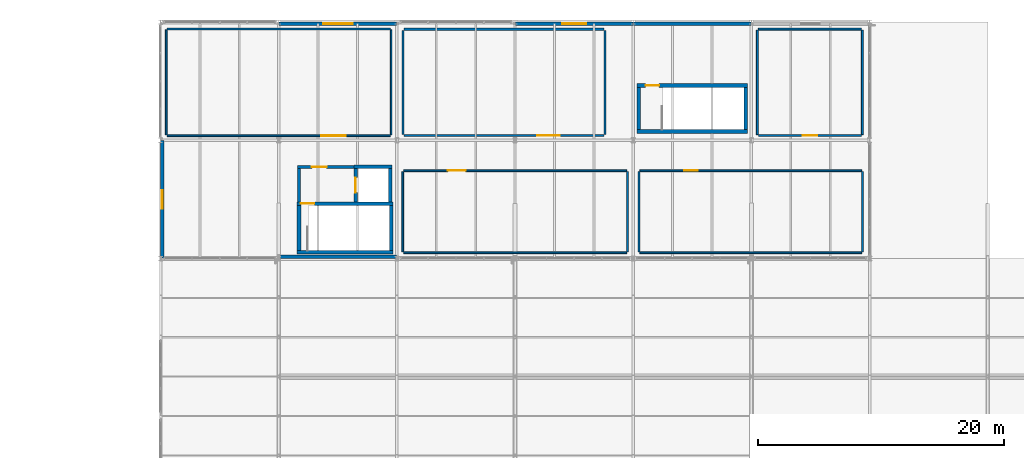
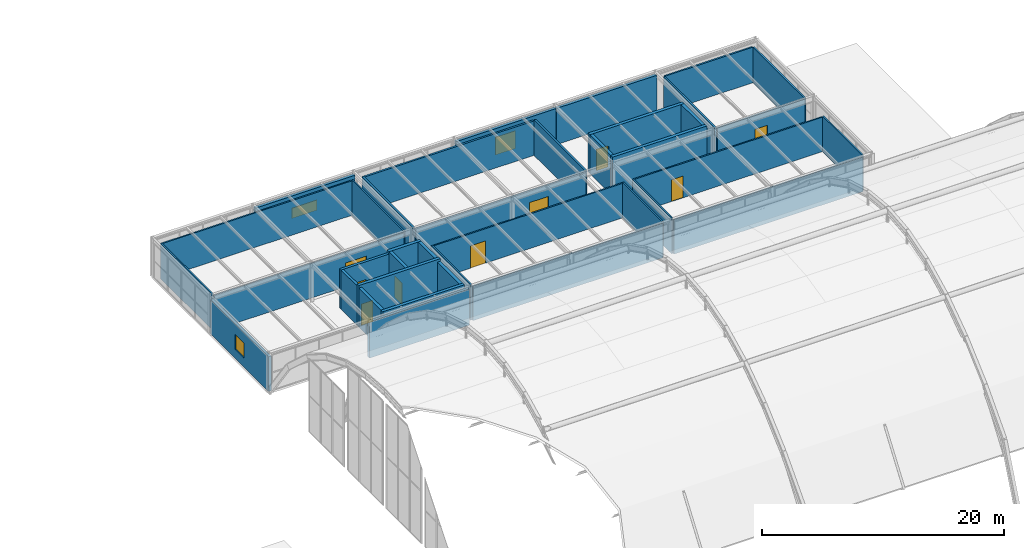
# One storey, part 119 of 126: 38 walls, 9 doors, 3 windows, 12 openings.
"""IFC4 building model written with IfcOpenShell, lengths in metres."""

from ifc_helpers import new_model, si_unit, direction, frame, frame_2d, origin, place, context, subcontext, project, spatial, rectangle, extrude, material, layer, layer_set, type_object, element, fill, save


model = new_model("IFC4")

# Units and contexts
model_context = context("Model", 3, precision=1e-05, world=origin(), true_north=direction((0.0, 1.0)))
body_context = subcontext(model_context, "Body", "Model", "MODEL_VIEW")
ifc_project = project(units=[si_unit("LENGTHUNIT", "METRE"), si_unit("AREAUNIT", "SQUARE_METRE"), si_unit("VOLUMEUNIT", "CUBIC_METRE"), si_unit("PLANEANGLEUNIT", "RADIAN"), si_unit("MASSUNIT", "GRAM", prefix="KILO")], contexts=[model_context])

# Site, building, storey
site_placement = place(None, origin())
site = spatial("IfcSite", under=ifc_project, at=site_placement, CompositionType="ELEMENT")
building_placement = place(site_placement, origin())
building = spatial("IfcBuilding", under=site, at=building_placement, Name="Coralgate Yard Interchange", CompositionType="ELEMENT")
storey_placement = place(building_placement, frame((0.0, 0.0, 10.5)))
storey = spatial("IfcBuildingStorey", under=building, at=storey_placement, Name="L02", CompositionType="ELEMENT", Elevation=10.5)

# Wall
ifc_material_1 = material(Name="Concrete C40/50", Category="concrete")
ifc_layer_1 = layer(ifc_material_1, 0.300048828125)
ifc_layer_set_1 = layer_set([ifc_layer_1], Name="Concrete C40/50")
wall_type_1 = type_object("IfcWallType", Name="WAL-CW300", PredefinedType="SHEAR", material=ifc_layer_set_1)
wall_1_placement = place(storey_placement, frame((49.5, 77.300048828125, 0.0), z_axis=(0.0, 0.0, 1.0), x_axis=(1.0, 0.0, 0.0)))
element("IfcWall", 1, at=wall_1_placement, inside=storey, type_object=wall_type_1, Name="C5 L02 stair south shear wall", PredefinedType="SHEAR", context=body_context, shape_type="SweptSolid", body=[
    extrude(rectangle(XDim=7.800048828125, YDim=0.300048828125, at=frame_2d((3.89990234375, 0.0))), origin(), (0.0, 0.0, 1.0), 3.949951171875),
])

# Wall, opening, door
wall_2_placement = place(storey_placement, frame((57.300048828125, 81.25, 0.0), z_axis=(0.0, 0.0, 1.0), x_axis=(-1.0, 0.0, 0.0)))
wall_2 = element("IfcWall", 2, at=wall_2_placement, inside=storey, type_object=wall_type_1, Name="C5 L02 stair north shear wall", PredefinedType="SHEAR", context=body_context, shape_type="SweptSolid", body=[
    extrude(rectangle(XDim=7.800048828125, YDim=0.300048828125, at=frame_2d((3.89990234375, 0.0))), origin(), (0.0, 0.0, 1.0), 4.199951171875),
])
opening_1_placement = place(wall_2_placement, frame((6.39990234375, 0.0, 0.0)))
opening_1 = element("IfcOpeningElement", 3, at=opening_1_placement, cuts=wall_2, Name="Opening FD-1", PredefinedType="OPENING", context=body_context, shape_type="SweptSolid", body=[
    extrude(rectangle(XDim=1.10009765625, YDim=2.14990234375, at=frame_2d((0.550048828125, 1.074951171875))), frame((0.0, 0.159912109375, 0.0), z_axis=(0.0, -1.0, 0.0), x_axis=(1.0, 0.0, 0.0)), (0.0, 0.0, 1.0), 0.320068359375),
])
ifc_material_2 = material(Name="Powder-coated steel fire door assembly", Category="steel")
door_type_1 = type_object("IfcDoorType", Name="DOR-FD-1", OperationType="NOTDEFINED", PredefinedType="DOOR", material=ifc_material_2)
door_1_placement = place(opening_1_placement, origin())
door_1 = element("IfcDoor", 4, at=door_1_placement, inside=storey, type_object=door_type_1, Name="C5 L02 stair fire door", OperationType="SINGLE_SWING_LEFT", OverallHeight=2.14990234375, OverallWidth=1.10009765625, PredefinedType="DOOR", context=body_context, shape_type="SweptSolid", body=[
    extrude(rectangle(XDim=1.10009765625, YDim=2.14990234375, at=frame_2d((0.550048828125, 1.074951171875))), frame((0.0, 0.02490234375, 0.0), z_axis=(0.0, -1.0, 0.0), x_axis=(1.0, 0.0, 0.0)), (0.0, 0.0, 1.0), 0.050048828125),
])
fill(opening_1, door_1)

# Walls
for number, where, z_axis, x_axis, name in (
    (5, (49.64990234375, 77.449951171875, 0.0), (0.0, 0.0, 1.0), (0.0, 1.0, 0.0), "C5 L02 stair west shear wall"),
    (6, (57.14990234375, 81.10009765625, 0.0), (0.0, 0.0, 1.0), (0.0, -1.0, 0.0), "C5 L02 stair east shear wall"),
):
    element("IfcWall", number, at=place(storey_placement, frame(where, z_axis=z_axis, x_axis=x_axis)), inside=storey, type_object=wall_type_1, Name=name, PredefinedType="SHEAR", context=body_context, shape_type="SweptSolid", body=[
        extrude(rectangle(XDim=3.650146484375, YDim=0.300048828125, at=frame_2d((1.8251953125, 0.0))), origin(), (0.0, 0.0, 1.0), 3.949951171875),
    ])

# Wall, opening, door
wall_3_placement = place(storey_placement, frame((54.25, 84.10009765625, 0.0), z_axis=(0.0, 0.0, 1.0), x_axis=(0.0, -1.0, 0.0)))
wall_3 = element("IfcWall", 7, at=wall_3_placement, inside=storey, type_object=wall_type_1, Name="C5 L02 lift front shear wall", PredefinedType="SHEAR", context=body_context, shape_type="SweptSolid", body=[
    extrude(rectangle(XDim=2.7001953125, YDim=0.300048828125, at=frame_2d((1.35009765625, 0.0))), origin(), (0.0, 0.0, 1.0), 4.199951171875),
])
opening_2_placement = place(wall_3_placement, frame((0.739990234375, 0.0, 0.0)))
opening_2 = element("IfcOpeningElement", 8, at=opening_2_placement, cuts=wall_3, Name="Opening LD-3", PredefinedType="OPENING", context=body_context, shape_type="SweptSolid", body=[
    extrude(rectangle(XDim=1.219970703125, YDim=2.14990234375, at=frame_2d((0.60986328125, 1.074951171875))), frame((0.0, 0.159912109375, 0.0), z_axis=(0.0, -1.0, 0.0), x_axis=(1.0, 0.0, 0.0)), (0.0, 0.0, 1.0), 0.320068359375),
])
ifc_material_3 = material(Name="Brushed stainless steel concourse lift landing door", Category="steel")
door_type_2 = type_object("IfcDoorType", Name="DOR-LD-3", OperationType="DOUBLE_DOOR_SLIDING", PredefinedType="DOOR", material=ifc_material_3)
door_2_placement = place(opening_2_placement, frame((1.219970703125, 0.0, 0.0), z_axis=(0.0, 0.0, 1.0), x_axis=(-1.0, 0.0, 0.0)))
door_2 = element("IfcDoor", 9, at=door_2_placement, inside=storey, type_object=door_type_2, Name="LF-03 L02 sliding lift landing door", OperationType="DOUBLE_DOOR_SLIDING", OverallHeight=2.14990234375, OverallWidth=1.219970703125, PredefinedType="DOOR", context=body_context, shape_type="SweptSolid", body=[
    extrude(rectangle(XDim=1.219970703125, YDim=2.14990234375, at=frame_2d((0.60986328125, 1.074951171875))), frame((0.0, 0.02490234375, 0.0), z_axis=(0.0, -1.0, 0.0), x_axis=(1.0, 0.0, 0.0)), (0.0, 0.0, 1.0), 0.050048828125),
])
fill(opening_2, door_2)

# Walls
wall_4_placement = place(storey_placement, frame((57.050048828125, 81.39990234375, 0.0), z_axis=(0.0, 0.0, 1.0), x_axis=(0.0, 1.0, 0.0)))
element("IfcWall", 10, at=wall_4_placement, inside=storey, type_object=wall_type_1, Name="C5 L02 lift rear shear wall", PredefinedType="SHEAR", context=body_context, shape_type="SweptSolid", body=[
    extrude(rectangle(XDim=2.7001953125, YDim=0.300048828125, at=frame_2d((1.35009765625, 0.0))), origin(), (0.0, 0.0, 1.0), 4.199951171875),
])
wall_5_placement = place(storey_placement, frame((54.10009765625, 84.25, 0.0), z_axis=(0.0, 0.0, 1.0), x_axis=(1.0, 0.0, 0.0)))
element("IfcWall", 11, at=wall_5_placement, inside=storey, type_object=wall_type_1, Name="C5 L02 lift north shear wall", PredefinedType="SHEAR", context=body_context, shape_type="SweptSolid", body=[
    extrude(rectangle(XDim=3.099853515625, YDim=0.300048828125, at=frame_2d((1.5498046875, 0.0))), origin(), (0.0, 0.0, 1.0), 4.199951171875),
])
wall_6_placement = place(storey_placement, frame((77.10009765625, 87.110107421875, 0.0), z_axis=(0.0, 0.0, 1.0), x_axis=(1.0, 0.0, 0.0)))
element("IfcWall", 12, at=wall_6_placement, inside=storey, type_object=wall_type_1, Name="C9 L02 stair south shear wall", PredefinedType="SHEAR", context=body_context, shape_type="SweptSolid", body=[
    extrude(rectangle(XDim=9.0, YDim=0.300048828125, at=frame_2d((4.5, 0.0))), origin(), (0.0, 0.0, 1.0), 3.949951171875),
])

# Wall, opening, door
wall_7_placement = place(storey_placement, frame((86.10009765625, 90.85009765625, 0.0), z_axis=(0.0, 0.0, 1.0), x_axis=(-1.0, 0.0, 0.0)))
wall_7 = element("IfcWall", 13, at=wall_7_placement, inside=storey, type_object=wall_type_1, Name="C9 L02 stair north shear wall", PredefinedType="SHEAR", context=body_context, shape_type="SweptSolid", body=[
    extrude(rectangle(XDim=9.0, YDim=0.300048828125, at=frame_2d((4.5, 0.0))), origin(), (0.0, 0.0, 1.0), 3.949951171875),
])
opening_3_placement = place(wall_7_placement, frame((7.199951171875, 0.0, 0.0)))
opening_3 = element("IfcOpeningElement", 14, at=opening_3_placement, cuts=wall_7, Name="Opening FD-1", PredefinedType="OPENING", context=body_context, shape_type="SweptSolid", body=[
    extrude(rectangle(XDim=1.10009765625, YDim=2.14990234375, at=frame_2d((0.550048828125, 1.074951171875))), frame((0.0, 0.159912109375, 0.0), z_axis=(0.0, -1.0, 0.0), x_axis=(1.0, 0.0, 0.0)), (0.0, 0.0, 1.0), 0.320068359375),
])
door_3_placement = place(opening_3_placement, frame((1.10009765625, 0.0, 0.0), z_axis=(0.0, 0.0, 1.0), x_axis=(-1.0, 0.0, 0.0)))
door_3 = element("IfcDoor", 15, at=door_3_placement, inside=storey, type_object=door_type_1, Name="C9 L02 stair fire door", OperationType="SINGLE_SWING_LEFT", OverallHeight=2.14990234375, OverallWidth=1.10009765625, PredefinedType="DOOR", context=body_context, shape_type="SweptSolid", body=[
    extrude(rectangle(XDim=1.10009765625, YDim=2.14990234375, at=frame_2d((0.550048828125, 1.074951171875))), frame((0.0, 0.02490234375, 0.0), z_axis=(0.0, -1.0, 0.0), x_axis=(1.0, 0.0, 0.0)), (0.0, 0.0, 1.0), 0.050048828125),
])
fill(opening_3, door_3)

# Walls
for number, where, z_axis, x_axis, name in (
    (16, (77.25, 87.260009765625, 0.0), (0.0, 0.0, 1.0), (0.0, 1.0, 0.0), "C9 L02 stair west shear wall"),
    (17, (85.949951171875, 90.699951171875, 0.0), (0.0, 0.0, 1.0), (0.0, -1.0, 0.0), "C9 L02 stair east shear wall"),
):
    element("IfcWall", number, at=place(storey_placement, frame(where, z_axis=z_axis, x_axis=x_axis)), inside=storey, type_object=wall_type_1, Name=name, PredefinedType="SHEAR", context=body_context, shape_type="SweptSolid", body=[
        extrude(rectangle(XDim=3.43994140625, YDim=0.300048828125, at=frame_2d((1.719970703125, 0.0))), origin(), (0.0, 0.0, 1.0), 3.949951171875),
    ])

# Wall, opening, window
ifc_material_4 = material(Name="Precast concrete C40/50", Category="concrete")
ifc_layer_2 = layer(ifc_material_4, 0.280029296875)
ifc_layer_set_2 = layer_set([ifc_layer_2], Name="Precast concrete C40/50")
wall_type_2 = type_object("IfcWallType", Name="WAL-EW-280", PredefinedType="SOLIDWALL", material=ifc_layer_set_2)
wall_8_placement = place(storey_placement, frame((38.5400390625, 76.820068359375, 0.0), z_axis=(0.0, 0.0, 1.0), x_axis=(0.0, 1.0, 0.0)))
wall_8 = element("IfcWall", 18, at=wall_8_placement, inside=storey, type_object=wall_type_2, Name="L02 exterior coastal wall W 4-8", PredefinedType="SOLIDWALL", context=body_context, shape_type="SweptSolid", body=[
    extrude(rectangle(XDim=9.559814453125, YDim=0.280029296875, at=frame_2d((4.77978515625, 0.0))), origin(), (0.0, 0.0, 1.0), 3.492919921875),
])
opening_4_placement = place(wall_8_placement, frame((4.030029296875, 0.0, 0.89990234375)))
opening_4 = element("IfcOpeningElement", 19, at=opening_4_placement, cuts=wall_8, Name="Opening W-07", PredefinedType="OPENING", context=body_context, shape_type="SweptSolid", body=[
    extrude(rectangle(XDim=1.5, YDim=1.5, at=frame_2d((0.75, 0.75))), frame((0.0, 0.14990234375, 0.0), z_axis=(0.0, -1.0, 0.0), x_axis=(1.0, 0.0, 0.0)), (0.0, 0.0, 1.0), 0.300048828125),
])
ifc_material_5 = material(Name="Thermally broken anodised aluminium and solar-control low-E glass", Category="aluminium")
window_type_1 = type_object("IfcWindowType", Name="WIN-W-07", PartitioningType="SINGLE_PANEL", PredefinedType="WINDOW", material=ifc_material_5)
window_1_placement = place(opening_4_placement, origin())
window_1 = element("IfcWindow", 20, at=window_1_placement, inside=storey, type_object=window_type_1, Name="L02 coastal facade window W-4-8", OverallHeight=1.5, OverallWidth=1.5, PartitioningType="SINGLE_PANEL", PredefinedType="WINDOW", context=body_context, shape_type="SweptSolid", body=[
    extrude(rectangle(XDim=1.5, YDim=1.5, at=frame_2d((0.75, 0.75))), frame((0.0, 0.030029296875, 0.0), z_axis=(0.0, -1.0, 0.0), x_axis=(1.0, 0.0, 0.0)), (0.0, 0.0, 1.0), 0.06005859375),
])
fill(opening_4, window_1)

# Wall
wall_9_placement = place(storey_placement, frame((57.580078125, 76.93994140625, 0.0), z_axis=(0.0, 0.0, 1.0), x_axis=(-1.0, 0.0, 0.0)))
element("IfcWall", 21, at=wall_9_placement, inside=storey, type_object=wall_type_2, Name="L02 exterior coastal wall S 5-8", PredefinedType="SOLIDWALL", context=body_context, shape_type="SweptSolid", body=[
    extrude(rectangle(XDim=9.56005859375, YDim=0.280029296875, at=frame_2d((4.780029296875, 0.0))), origin(), (0.0, 0.0, 1.0), 3.659912109375),
])

# Wall, opening, window
wall_10_placement = place(storey_placement, frame((48.02001953125, 95.860107421875, 0.0), z_axis=(0.0, 0.0, 1.0), x_axis=(1.0, 0.0, 0.0)))
wall_10 = element("IfcWall", 22, at=wall_10_placement, inside=storey, type_object=wall_type_2, Name="L02 exterior coastal wall N 5-9", PredefinedType="SOLIDWALL", context=body_context, shape_type="SweptSolid", body=[
    extrude(rectangle(XDim=9.56005859375, YDim=0.280029296875, at=frame_2d((4.780029296875, 0.0))), origin(), (0.0, 0.0, 1.0), 3.659912109375),
])
opening_5_placement = place(wall_10_placement, frame((3.580078125, 0.0, 1.300048828125)))
opening_5 = element("IfcOpeningElement", 23, at=opening_5_placement, cuts=wall_10, Name="Opening W-11", PredefinedType="OPENING", context=body_context, shape_type="SweptSolid", body=[
    extrude(rectangle(XDim=2.39990234375, YDim=1.050048828125, at=frame_2d((1.199951171875, 0.52490234375))), frame((0.0, 0.14990234375, 0.0), z_axis=(0.0, -1.0, 0.0), x_axis=(1.0, 0.0, 0.0)), (0.0, 0.0, 1.0), 0.300048828125),
])
window_type_2 = type_object("IfcWindowType", Name="WIN-W-11", PartitioningType="SINGLE_PANEL", PredefinedType="WINDOW", material=ifc_material_5)
window_2_placement = place(opening_5_placement, origin())
window_2 = element("IfcWindow", 24, at=window_2_placement, inside=storey, type_object=window_type_2, Name="L02 coastal facade window N-5-9", OverallHeight=1.050048828125, OverallWidth=2.39990234375, PartitioningType="SINGLE_PANEL", PredefinedType="WINDOW", context=body_context, shape_type="SweptSolid", body=[
    extrude(rectangle(XDim=2.39990234375, YDim=1.050048828125, at=frame_2d((1.199951171875, 0.52490234375))), frame((0.0, 0.030029296875, 0.0), z_axis=(0.0, -1.0, 0.0), x_axis=(1.0, 0.0, 0.0)), (0.0, 0.0, 1.0), 0.06005859375),
])
fill(opening_5, window_2)

wall_11_placement = place(storey_placement, frame((67.219970703125, 95.860107421875, 0.0), z_axis=(0.0, 0.0, 1.0), x_axis=(1.0, 0.0, 0.0)))
wall_11 = element("IfcWall", 25, at=wall_11_placement, inside=storey, type_object=wall_type_2, Name="L02 exterior coastal wall N 7-9", PredefinedType="SOLIDWALL", context=body_context, shape_type="SweptSolid", body=[
    extrude(rectangle(XDim=9.56005859375, YDim=0.280029296875, at=frame_2d((4.780029296875, 0.0))), origin(), (0.0, 0.0, 1.0), 3.659912109375),
])
opening_6_placement = place(wall_11_placement, frame((3.804931640625, 0.0, 0.89990234375)))
opening_6 = element("IfcOpeningElement", 26, at=opening_6_placement, cuts=wall_11, Name="Opening W-17", PredefinedType="OPENING", context=body_context, shape_type="SweptSolid", body=[
    extrude(rectangle(XDim=1.949951171875, YDim=1.800048828125, at=frame_2d((0.97509765625, 0.89990234375))), frame((0.0, 0.14990234375, 0.0), z_axis=(0.0, -1.0, 0.0), x_axis=(1.0, 0.0, 0.0)), (0.0, 0.0, 1.0), 0.300048828125),
])
window_type_3 = type_object("IfcWindowType", Name="WIN-W-17", PartitioningType="SINGLE_PANEL", PredefinedType="WINDOW", material=ifc_material_5)
window_3_placement = place(opening_6_placement, origin())
window_3 = element("IfcWindow", 27, at=window_3_placement, inside=storey, type_object=window_type_3, Name="L02 coastal facade window N-7-9", OverallHeight=1.800048828125, OverallWidth=1.949951171875, PartitioningType="SINGLE_PANEL", PredefinedType="WINDOW", context=body_context, shape_type="SweptSolid", body=[
    extrude(rectangle(XDim=1.949951171875, YDim=1.800048828125, at=frame_2d((0.97509765625, 0.89990234375))), frame((0.0, 0.030029296875, 0.0), z_axis=(0.0, -1.0, 0.0), x_axis=(1.0, 0.0, 0.0)), (0.0, 0.0, 1.0), 0.06005859375),
])
fill(opening_6, window_3)

# Wall
wall_12_placement = place(storey_placement, frame((76.820068359375, 95.860107421875, 0.0), z_axis=(0.0, 0.0, 1.0), x_axis=(1.0, 0.0, 0.0)))
element("IfcWall", 28, at=wall_12_placement, inside=storey, type_object=wall_type_2, Name="L02 exterior coastal wall N 8-9", PredefinedType="SOLIDWALL", context=body_context, shape_type="SweptSolid", body=[
    extrude(rectangle(XDim=9.559814453125, YDim=0.280029296875, at=frame_2d((4.77978515625, 0.0))), origin(), (0.0, 0.0, 1.0), 3.659912109375),
])

# Wall, opening, door
ifc_material_6 = material(Name="Acoustic twin-stud office partition")
ifc_layer_3 = layer(ifc_material_6, 0.139892578125)
ifc_layer_set_3 = layer_set([ifc_layer_3], Name="Acoustic twin-stud office partition")
wall_type_3 = type_object("IfcWallType", Name="WAL-PW-140", PredefinedType="PARTITIONING", material=ifc_layer_set_3)
wall_13_placement = place(storey_placement, frame((57.06005859375, 86.77001953125, 0.0), z_axis=(0.0, 0.0, 1.0), x_axis=(-1.0, 0.0, 0.0)))
wall_13 = element("IfcWall", 29, at=wall_13_placement, inside=storey, type_object=wall_type_3, Name="Passenger Hearing and Consultation Lounge partition S", PredefinedType="PARTITIONING", context=body_context, shape_type="SweptSolid", body=[
    extrude(rectangle(XDim=18.1201171875, YDim=0.139892578125, at=frame_2d((9.06005859375, 0.0))), origin(), (0.0, 0.0, 1.0), 3.48291015625),
])
opening_7_placement = place(wall_13_placement, frame((3.60009765625, 0.0, 0.0)))
opening_7 = element("IfcOpeningElement", 30, at=opening_7_placement, cuts=wall_13, Name="Opening ID-09", PredefinedType="OPENING", context=body_context, shape_type="SweptSolid", body=[
    extrude(rectangle(XDim=2.0, YDim=2.39990234375, at=frame_2d((1.0, 1.199951171875))), frame((0.0, 0.079833984375, 0.0), z_axis=(0.0, -1.0, 0.0), x_axis=(1.0, 0.0, 0.0)), (0.0, 0.0, 1.0), 0.159912109375),
])
ifc_material_7 = material(Name="Glazed aluminium concourse lounge double door", Category="aluminium")
door_type_3 = type_object("IfcDoorType", Name="DOR-ID-09", OperationType="NOTDEFINED", PredefinedType="DOOR", material=ifc_material_7)
door_4_placement = place(opening_7_placement, origin())
door_4 = element("IfcDoor", 31, at=door_4_placement, inside=storey, type_object=door_type_3, Name="Passenger Hearing and Consultation Lounge door", OperationType="DOUBLE_DOOR_SINGLE_SWING", OverallHeight=2.39990234375, OverallWidth=2.0, PredefinedType="DOOR", context=body_context, shape_type="SweptSolid", body=[
    extrude(rectangle(XDim=2.0, YDim=2.39990234375, at=frame_2d((1.0, 1.199951171875))), frame((0.0, 0.02490234375, 0.0), z_axis=(0.0, -1.0, 0.0), x_axis=(1.0, 0.0, 0.0)), (0.0, 0.0, 1.0), 0.050048828125),
])
fill(opening_7, door_4)

# Walls
wall_14_placement = place(storey_placement, frame((38.93994140625, 95.429931640625, 0.0), z_axis=(0.0, 0.0, 1.0), x_axis=(1.0, 0.0, 0.0)))
element("IfcWall", 32, at=wall_14_placement, inside=storey, type_object=wall_type_3, Name="Passenger Hearing and Consultation Lounge partition N", PredefinedType="PARTITIONING", context=body_context, shape_type="SweptSolid", body=[
    extrude(rectangle(XDim=18.1201171875, YDim=0.139892578125, at=frame_2d((9.06005859375, 0.0))), origin(), (0.0, 0.0, 1.0), 3.48291015625),
])
for number, where, z_axis, x_axis, name in (
    (33, (38.8701171875, 86.840087890625, 0.0), (0.0, 0.0, 1.0), (0.0, 1.0, 0.0), "Passenger Hearing and Consultation Lounge partition W"),
    (34, (57.1298828125, 95.360107421875, 0.0), (0.0, 0.0, 1.0), (0.0, -1.0, 0.0), "Passenger Hearing and Consultation Lounge partition E"),
):
    element("IfcWall", number, at=place(storey_placement, frame(where, z_axis=z_axis, x_axis=x_axis)), inside=storey, type_object=wall_type_3, Name=name, PredefinedType="PARTITIONING", context=body_context, shape_type="SweptSolid", body=[
        extrude(rectangle(XDim=8.52001953125, YDim=0.139892578125, at=frame_2d((4.260009765625, 0.0))), origin(), (0.0, 0.0, 1.0), 3.590087890625),
    ])
wall_15_placement = place(storey_placement, frame((76.260009765625, 77.27001953125, 0.0), z_axis=(0.0, 0.0, 1.0), x_axis=(-1.0, 0.0, 0.0)))
element("IfcWall", 35, at=wall_15_placement, inside=storey, type_object=wall_type_3, Name="Passenger Service and Smartcard Centre partition S", PredefinedType="PARTITIONING", context=body_context, shape_type="SweptSolid", body=[
    extrude(rectangle(XDim=18.1201171875, YDim=0.139892578125, at=frame_2d((9.06005859375, 0.0))), origin(), (0.0, 0.0, 1.0), 3.48291015625),
])

# Wall, opening, door
wall_16_placement = place(storey_placement, frame((58.139892578125, 83.929931640625, 0.0), z_axis=(0.0, 0.0, 1.0), x_axis=(1.0, 0.0, 0.0)))
wall_16 = element("IfcWall", 36, at=wall_16_placement, inside=storey, type_object=wall_type_3, Name="Passenger Service and Smartcard Centre partition N", PredefinedType="PARTITIONING", context=body_context, shape_type="SweptSolid", body=[
    extrude(rectangle(XDim=18.1201171875, YDim=0.139892578125, at=frame_2d((9.06005859375, 0.0))), origin(), (0.0, 0.0, 1.0), 3.48291015625),
])
opening_8_placement = place(wall_16_placement, frame((3.60009765625, 0.0, 0.0)))
opening_8 = element("IfcOpeningElement", 37, at=opening_8_placement, cuts=wall_16, Name="Opening ID-18", PredefinedType="OPENING", context=body_context, shape_type="SweptSolid", body=[
    extrude(rectangle(XDim=1.449951171875, YDim=2.25, at=frame_2d((0.72509765625, 1.125))), frame((0.0, 0.079833984375, 0.0), z_axis=(0.0, -1.0, 0.0), x_axis=(1.0, 0.0, 0.0)), (0.0, 0.0, 1.0), 0.159912109375),
])
ifc_material_8 = material(Name="Glazed passenger service counter double door")
door_type_4 = type_object("IfcDoorType", Name="DOR-ID-18", OperationType="NOTDEFINED", PredefinedType="DOOR", material=ifc_material_8)
door_5_placement = place(opening_8_placement, frame((1.449951171875, 0.0, 0.0), z_axis=(0.0, 0.0, 1.0), x_axis=(-1.0, 0.0, 0.0)))
door_5 = element("IfcDoor", 38, at=door_5_placement, inside=storey, type_object=door_type_4, Name="Passenger Service and Smartcard Centre door", OperationType="DOUBLE_DOOR_SINGLE_SWING", OverallHeight=2.25, OverallWidth=1.449951171875, PredefinedType="DOOR", context=body_context, shape_type="SweptSolid", body=[
    extrude(rectangle(XDim=1.449951171875, YDim=2.25, at=frame_2d((0.72509765625, 1.125))), frame((0.0, 0.02490234375, 0.0), z_axis=(0.0, -1.0, 0.0), x_axis=(1.0, 0.0, 0.0)), (0.0, 0.0, 1.0), 0.050048828125),
])
fill(opening_8, door_5)

# Walls
for number, where, z_axis, x_axis, name in (
    (39, (58.070068359375, 77.340087890625, 0.0), (0.0, 0.0, 1.0), (0.0, 1.0, 0.0), "Passenger Service and Smartcard Centre partition W"),
    (40, (76.330078125, 83.860107421875, 0.0), (0.0, 0.0, 1.0), (0.0, -1.0, 0.0), "Passenger Service and Smartcard Centre partition E"),
):
    element("IfcWall", number, at=place(storey_placement, frame(where, z_axis=z_axis, x_axis=x_axis)), inside=storey, type_object=wall_type_3, Name=name, PredefinedType="PARTITIONING", context=body_context, shape_type="SweptSolid", body=[
        extrude(rectangle(XDim=6.52001953125, YDim=0.139892578125, at=frame_2d((3.260009765625, 0.0))), origin(), (0.0, 0.0, 1.0), 3.590087890625),
    ])
wall_17_placement = place(storey_placement, frame((95.360107421875, 77.27001953125, 0.0), z_axis=(0.0, 0.0, 1.0), x_axis=(-1.0, 0.0, 0.0)))
element("IfcWall", 41, at=wall_17_placement, inside=storey, type_object=wall_type_3, Name="Lost Property and Travel Assistance Office partition S", PredefinedType="PARTITIONING", context=body_context, shape_type="SweptSolid", body=[
    extrude(rectangle(XDim=18.02001953125, YDim=0.139892578125, at=frame_2d((9.010009765625, 0.0))), origin(), (0.0, 0.0, 1.0), 3.48291015625),
])

# Wall, opening, door
wall_18_placement = place(storey_placement, frame((77.340087890625, 83.929931640625, 0.0), z_axis=(0.0, 0.0, 1.0), x_axis=(1.0, 0.0, 0.0)))
wall_18 = element("IfcWall", 42, at=wall_18_placement, inside=storey, type_object=wall_type_3, Name="Lost Property and Travel Assistance Office partition N", PredefinedType="PARTITIONING", context=body_context, shape_type="SweptSolid", body=[
    extrude(rectangle(XDim=18.02001953125, YDim=0.139892578125, at=frame_2d((9.010009765625, 0.0))), origin(), (0.0, 0.0, 1.0), 3.48291015625),
])
opening_9_placement = place(wall_18_placement, frame((3.60009765625, 0.0, 0.0)))
opening_9 = element("IfcOpeningElement", 43, at=opening_9_placement, cuts=wall_18, Name="Opening ID-23", PredefinedType="OPENING", context=body_context, shape_type="SweptSolid", body=[
    extrude(rectangle(XDim=1.1201171875, YDim=2.199951171875, at=frame_2d((0.56005859375, 1.10009765625))), frame((0.0, 0.079833984375, 0.0), z_axis=(0.0, -1.0, 0.0), x_axis=(1.0, 0.0, 0.0)), (0.0, 0.0, 1.0), 0.159912109375),
])
ifc_material_9 = material(Name="Acoustic hardwood operational office door", Category="wood")
door_type_5 = type_object("IfcDoorType", Name="DOR-ID-23", OperationType="NOTDEFINED", PredefinedType="DOOR", material=ifc_material_9)
door_6_placement = place(opening_9_placement, frame((1.1201171875, 0.0, 0.0), z_axis=(0.0, 0.0, 1.0), x_axis=(-1.0, 0.0, 0.0)))
door_6 = element("IfcDoor", 44, at=door_6_placement, inside=storey, type_object=door_type_5, Name="Lost Property and Travel Assistance Office door", OperationType="SINGLE_SWING_LEFT", OverallHeight=2.199951171875, OverallWidth=1.1201171875, PredefinedType="DOOR", context=body_context, shape_type="SweptSolid", body=[
    extrude(rectangle(XDim=1.1201171875, YDim=2.199951171875, at=frame_2d((0.56005859375, 1.10009765625))), frame((0.0, 0.02490234375, 0.0), z_axis=(0.0, -1.0, 0.0), x_axis=(1.0, 0.0, 0.0)), (0.0, 0.0, 1.0), 0.050048828125),
])
fill(opening_9, door_6)

# Walls
for number, where, z_axis, x_axis, name in (
    (45, (77.27001953125, 77.340087890625, 0.0), (0.0, 0.0, 1.0), (0.0, 1.0, 0.0), "Lost Property and Travel Assistance Office partition W"),
    (46, (95.429931640625, 83.860107421875, 0.0), (0.0, 0.0, 1.0), (0.0, -1.0, 0.0), "Lost Property and Travel Assistance Office partition E"),
):
    element("IfcWall", number, at=place(storey_placement, frame(where, z_axis=z_axis, x_axis=x_axis)), inside=storey, type_object=wall_type_3, Name=name, PredefinedType="PARTITIONING", context=body_context, shape_type="SweptSolid", body=[
        extrude(rectangle(XDim=6.52001953125, YDim=0.139892578125, at=frame_2d((3.260009765625, 0.0))), origin(), (0.0, 0.0, 1.0), 3.590087890625),
    ])

# Wall, opening, door
ifc_material_10 = material(Name="Fire-rated twin-stud gypsum partition")
ifc_layer_4 = layer(ifc_material_10, 0.159912109375)
ifc_layer_set_4 = layer_set([ifc_layer_4], Name="Fire-rated twin-stud gypsum partition")
wall_type_4 = type_object("IfcWallType", Name="WAL-PW-160", PredefinedType="PARTITIONING", material=ifc_layer_set_4)
wall_19_placement = place(storey_placement, frame((95.340087890625, 86.780029296875, 0.0), z_axis=(0.0, 0.0, 1.0), x_axis=(-1.0, 0.0, 0.0)))
wall_19 = element("IfcWall", 47, at=wall_19_placement, inside=storey, type_object=wall_type_4, Name="Community Hall Audio-Visual Store partition S", PredefinedType="PARTITIONING", context=body_context, shape_type="SweptSolid", body=[
    extrude(rectangle(XDim=8.380126953125, YDim=0.159912109375, at=frame_2d((4.18994140625, 0.0))), origin(), (0.0, 0.0, 1.0), 3.590087890625),
])
opening_10_placement = place(wall_19_placement, frame((3.590087890625, 0.0, 0.0)))
opening_10 = element("IfcOpeningElement", 48, at=opening_10_placement, cuts=wall_19, Name="Opening ID-05", PredefinedType="OPENING", context=body_context, shape_type="SweptSolid", body=[
    extrude(rectangle(XDim=1.199951171875, YDim=2.199951171875, at=frame_2d((0.60009765625, 1.10009765625))), frame((0.0, 0.08984375, 0.0), z_axis=(0.0, -1.0, 0.0), x_axis=(1.0, 0.0, 0.0)), (0.0, 0.0, 1.0), 0.179931640625),
])
ifc_material_11 = material(Name="Powder-coated steel plant and store fire door", Category="steel")
door_type_6 = type_object("IfcDoorType", Name="DOR-ID-05", OperationType="NOTDEFINED", PredefinedType="DOOR", material=ifc_material_11)
door_7_placement = place(opening_10_placement, frame((1.199951171875, 0.0, 0.0), z_axis=(0.0, 0.0, 1.0), x_axis=(-1.0, 0.0, 0.0)))
door_7 = element("IfcDoor", 49, at=door_7_placement, inside=storey, type_object=door_type_6, Name="Community Hall Audio-Visual Store door", OperationType="SINGLE_SWING_RIGHT", OverallHeight=2.199951171875, OverallWidth=1.199951171875, PredefinedType="DOOR", context=body_context, shape_type="SweptSolid", body=[
    extrude(rectangle(XDim=1.199951171875, YDim=2.199951171875, at=frame_2d((0.60009765625, 1.10009765625))), frame((0.0, 0.02490234375, 0.0), z_axis=(0.0, -1.0, 0.0), x_axis=(1.0, 0.0, 0.0)), (0.0, 0.0, 1.0), 0.050048828125),
])
fill(opening_10, door_7)

# Walls
wall_20_placement = place(storey_placement, frame((86.9599609375, 95.419921875, 0.0), z_axis=(0.0, 0.0, 1.0), x_axis=(1.0, 0.0, 0.0)))
element("IfcWall", 50, at=wall_20_placement, inside=storey, type_object=wall_type_4, Name="Community Hall Audio-Visual Store partition N", PredefinedType="PARTITIONING", context=body_context, shape_type="SweptSolid", body=[
    extrude(rectangle(XDim=8.380126953125, YDim=0.159912109375, at=frame_2d((4.18994140625, 0.0))), origin(), (0.0, 0.0, 1.0), 3.590087890625),
])
for number, where, z_axis, x_axis, name in (
    (51, (86.8798828125, 86.860107421875, 0.0), (0.0, 0.0, 1.0), (0.0, 1.0, 0.0), "Community Hall Audio-Visual Store partition W"),
    (52, (95.419921875, 95.340087890625, 0.0), (0.0, 0.0, 1.0), (0.0, -1.0, 0.0), "Community Hall Audio-Visual Store partition E"),
):
    element("IfcWall", number, at=place(storey_placement, frame(where, z_axis=z_axis, x_axis=x_axis)), inside=storey, type_object=wall_type_4, Name=name, PredefinedType="PARTITIONING", context=body_context, shape_type="SweptSolid", body=[
        extrude(rectangle(XDim=8.47998046875, YDim=0.159912109375, at=frame_2d((4.239990234375, 0.0))), origin(), (0.0, 0.0, 1.0), 3.590087890625),
    ])

# Wall, opening, door
ifc_material_12 = material(Name="Acoustic concrete blockwork", Category="masonry")
ifc_layer_5 = layer(ifc_material_12, 0.179931640625)
ifc_layer_set_5 = layer_set([ifc_layer_5], Name="Acoustic concrete blockwork")
wall_type_5 = type_object("IfcWallType", Name="WAL-PW-180", PredefinedType="PARTITIONING", material=ifc_layer_set_5)
wall_21_placement = place(storey_placement, frame((74.419921875, 86.7900390625, 0.0), z_axis=(0.0, 0.0, 1.0), x_axis=(-1.0, 0.0, 0.0)))
wall_21 = element("IfcWall", 53, at=wall_21_placement, inside=storey, type_object=wall_type_5, Name="Coastal Community Meeting Hall partition S", PredefinedType="PARTITIONING", context=body_context, shape_type="SweptSolid", body=[
    extrude(rectangle(XDim=16.239990234375, YDim=0.179931640625, at=frame_2d((8.1201171875, 0.0))), origin(), (0.0, 0.0, 1.0), 3.48291015625),
])
opening_11_placement = place(wall_21_placement, frame((3.60009765625, 0.0, 0.0)))
opening_11 = element("IfcOpeningElement", 54, at=opening_11_placement, cuts=wall_21, Name="Opening ID-08", PredefinedType="OPENING", context=body_context, shape_type="SweptSolid", body=[
    extrude(rectangle(XDim=1.800048828125, YDim=2.35009765625, at=frame_2d((0.89990234375, 1.175048828125))), frame((0.0, 0.099853515625, 0.0), z_axis=(0.0, -1.0, 0.0), x_axis=(1.0, 0.0, 0.0)), (0.0, 0.0, 1.0), 0.199951171875),
])
ifc_material_13 = material(Name="Acoustic timber assembly and meeting hall double door", Category="wood")
door_type_7 = type_object("IfcDoorType", Name="DOR-ID-08", OperationType="NOTDEFINED", PredefinedType="DOOR", material=ifc_material_13)
door_8_placement = place(opening_11_placement, frame((1.800048828125, 0.0, 0.0), z_axis=(0.0, 0.0, 1.0), x_axis=(-1.0, 0.0, 0.0)))
door_8 = element("IfcDoor", 55, at=door_8_placement, inside=storey, type_object=door_type_7, Name="Coastal Community Meeting Hall door", OperationType="DOUBLE_DOOR_SINGLE_SWING", OverallHeight=2.35009765625, OverallWidth=1.800048828125, PredefinedType="DOOR", context=body_context, shape_type="SweptSolid", body=[
    extrude(rectangle(XDim=1.800048828125, YDim=2.35009765625, at=frame_2d((0.89990234375, 1.175048828125))), frame((0.0, 0.02490234375, 0.0), z_axis=(0.0, -1.0, 0.0), x_axis=(1.0, 0.0, 0.0)), (0.0, 0.0, 1.0), 0.050048828125),
])
fill(opening_11, door_8)

# Walls
wall_22_placement = place(storey_placement, frame((58.179931640625, 95.409912109375, 0.0), z_axis=(0.0, 0.0, 1.0), x_axis=(1.0, 0.0, 0.0)))
element("IfcWall", 56, at=wall_22_placement, inside=storey, type_object=wall_type_5, Name="Coastal Community Meeting Hall partition N", PredefinedType="PARTITIONING", context=body_context, shape_type="SweptSolid", body=[
    extrude(rectangle(XDim=16.239990234375, YDim=0.179931640625, at=frame_2d((8.1201171875, 0.0))), origin(), (0.0, 0.0, 1.0), 3.48291015625),
])
for number, where, z_axis, x_axis, name in (
    (57, (58.090087890625, 86.8798828125, 0.0), (0.0, 0.0, 1.0), (0.0, 1.0, 0.0), "Coastal Community Meeting Hall partition W"),
    (58, (74.510009765625, 95.320068359375, 0.0), (0.0, 0.0, 1.0), (0.0, -1.0, 0.0), "Coastal Community Meeting Hall partition E"),
):
    element("IfcWall", number, at=place(storey_placement, frame(where, z_axis=z_axis, x_axis=x_axis)), inside=storey, type_object=wall_type_5, Name=name, PredefinedType="PARTITIONING", context=body_context, shape_type="SweptSolid", body=[
        extrude(rectangle(XDim=8.440185546875, YDim=0.179931640625, at=frame_2d((4.22021484375, 0.0))), origin(), (0.0, 0.0, 1.0), 3.590087890625),
    ])

# Wall, opening, door
ifc_layer_6 = layer(ifc_material_1, 0.25)
ifc_layer_set_6 = layer_set([ifc_layer_6], Name="Concrete C40/50")
wall_type_6 = type_object("IfcWallType", Name="WAL-SW250", PredefinedType="SHEAR", material=ifc_layer_set_6)
wall_23_placement = place(storey_placement, frame((54.10009765625, 84.22509765625, 0.0), z_axis=(0.0, 0.0, 1.0), x_axis=(-1.0, 0.0, 0.0)))
wall_23 = element("IfcWall", 59, at=wall_23_placement, inside=storey, type_object=wall_type_6, Name="C5 L02 lobby north fire wall", PredefinedType="SHEAR", context=body_context, shape_type="SweptSolid", body=[
    extrude(rectangle(XDim=4.5751953125, YDim=0.25, at=frame_2d((2.28759765625, 0.0))), origin(), (0.0, 0.0, 1.0), 3.949951171875),
])
opening_12_placement = place(wall_23_placement, frame((2.199951171875, 0.0, 0.0)))
opening_12 = element("IfcOpeningElement", 60, at=opening_12_placement, cuts=wall_23, Name="Opening FD-2", PredefinedType="OPENING", context=body_context, shape_type="SweptSolid", body=[
    extrude(rectangle(XDim=1.199951171875, YDim=2.14990234375, at=frame_2d((0.60009765625, 1.074951171875))), frame((0.0, 0.135009765625, 0.0), z_axis=(0.0, -1.0, 0.0), x_axis=(1.0, 0.0, 0.0)), (0.0, 0.0, 1.0), 0.27001953125),
])
door_type_8 = type_object("IfcDoorType", Name="DOR-FD-2", OperationType="NOTDEFINED", PredefinedType="DOOR", material=ifc_material_2)
door_9_placement = place(opening_12_placement, origin())
door_9 = element("IfcDoor", 61, at=door_9_placement, inside=storey, type_object=door_type_8, Name="C5 L02 lobby fire door", OperationType="SINGLE_SWING_RIGHT", OverallHeight=2.14990234375, OverallWidth=1.199951171875, PredefinedType="DOOR", context=body_context, shape_type="SweptSolid", body=[
    extrude(rectangle(XDim=1.199951171875, YDim=2.14990234375, at=frame_2d((0.60009765625, 1.074951171875))), frame((0.0, 0.02490234375, 0.0), z_axis=(0.0, -1.0, 0.0), x_axis=(1.0, 0.0, 0.0)), (0.0, 0.0, 1.0), 0.050048828125),
])
fill(opening_12, door_9)

# Wall
wall_24_placement = place(storey_placement, frame((49.64990234375, 81.39990234375, 0.0), z_axis=(0.0, 0.0, 1.0), x_axis=(0.0, 1.0, 0.0)))
element("IfcWall", 62, at=wall_24_placement, inside=storey, type_object=wall_type_6, Name="C5 L02 lobby west fire wall", PredefinedType="SHEAR", context=body_context, shape_type="SweptSolid", body=[
    extrude(rectangle(XDim=2.7001953125, YDim=0.25, at=frame_2d((1.35009765625, 0.0))), origin(), (0.0, 0.0, 1.0), 3.949951171875),
])

save(model, "model.ifc")
